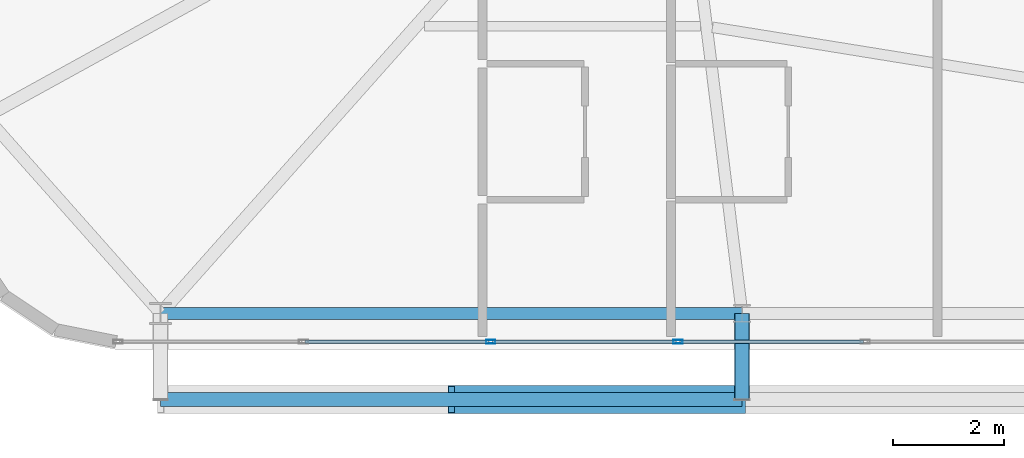
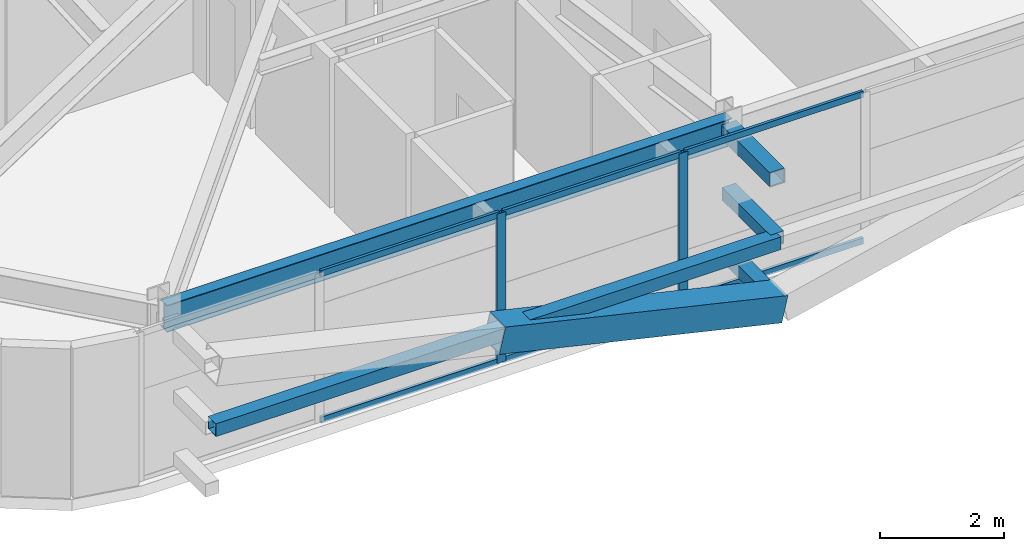
# One storey, part 6 of 59: 13 members, 1 beam, 1 element without a shape of its own.
"""IFC4 building model written with IfcOpenShell, lengths in metres."""

from ifc_helpers import new_model, si_unit, direction, frame, origin, origin_2d, place, context, subcontext, project, spatial, hollow_rectangle, i_section, extrude, source, transform, mapped, material, layer, layer_set, material_profile, profile_set, type_object, element, aggregate, save


model = new_model("IFC4")

# Units and contexts
model_context = context("Model", 3, precision=1e-05, world=origin(), true_north=direction((0.0, 1.0)))
body_context = subcontext(model_context, "Body", "Model", "MODEL_VIEW")
ifc_project = project(units=[si_unit("LENGTHUNIT", "METRE"), si_unit("AREAUNIT", "SQUARE_METRE"), si_unit("VOLUMEUNIT", "CUBIC_METRE"), si_unit("PLANEANGLEUNIT", "RADIAN"), si_unit("MASSUNIT", "GRAM", prefix="KILO")], contexts=[model_context])

# Site, building, storey
site_placement = place(None, origin())
site = spatial("IfcSite", under=ifc_project, at=site_placement, CompositionType="ELEMENT")
building_placement = place(site_placement, origin())
building = spatial("IfcBuilding", under=site, at=building_placement, Name="Taldren Reach Tower", CompositionType="ELEMENT")
storey_placement = place(building_placement, frame((0.0, 0.0, 19.949951171875)))
storey = spatial("IfcBuildingStorey", under=building, at=storey_placement, Name="L05", CompositionType="ELEMENT", Elevation=19.949951171875)

# Beam
ifc_material_1 = material(Name="Steel Gr 350 (350PLUS)", Category="steel")
ifc_material_profile_1 = material_profile(ifc_material_1, i_section(OverallWidth=0.208984375, OverallDepth=0.528076171875, WebThickness=0.009521484375, FlangeThickness=0.01318359375, at=origin_2d()), Name="530UB82.0")
ifc_profile_set_1 = profile_set([ifc_material_profile_1], Name="Steel Gr 350 (350PLUS)")
beam_type = type_object("IfcBeamType", Name="SP-UB530B", PredefinedType="SPANDREL", material=ifc_profile_set_1)
shared_shape_1 = source(origin(), body_context, "Body", "SweptSolid", [
    extrude(i_section(OverallWidth=0.208984375, OverallDepth=0.528076171875, WebThickness=0.009521484375, FlangeThickness=0.01318359375, at=origin_2d()), origin(), (0.0, 0.0, 1.0), 10.47998046875),
])
beam_placement = place(storey_placement, frame((8.800048828125, 2.14990234375, 2.666015625), z_axis=(1.0, 0.0, 0.0), x_axis=(0.0, 1.0, 0.0)))
element("IfcBeam", 1, at=beam_placement, inside=storey, type_object=beam_type, Name="Perimeter spandrel B1 S1-S2 L05", PredefinedType="SPANDREL", context=body_context, shape_type="MappedRepresentation", body=[
    mapped(shared_shape_1, transform((0.0, 0.0, 0.0), scale=1.0)),
])

# Members
ifc_material_2 = material(Name="Steel Gr 450 (C450L0)", Category="steel")
ifc_material_profile_2 = material_profile(ifc_material_2, hollow_rectangle(XDim=0.27490234375, YDim=0.27490234375, WallThickness=0.00927734375, at=origin_2d()), Name="275x275x9.3SHS")
ifc_profile_set_2 = profile_set([ifc_material_profile_2], Name="Steel Gr 450 (C450L0)")
member_type_1 = type_object("IfcMemberType", Name="MB-TIE273", PredefinedType="STRUT", material=ifc_profile_set_2)
shared_shape_2 = source(origin(), body_context, "Body", "SweptSolid", [
    extrude(hollow_rectangle(XDim=0.27490234375, YDim=0.27490234375, WallThickness=0.00927734375, at=origin_2d()), origin(), (0.0, 0.0, 1.0), 1.5498046875),
])
member_1_placement = place(storey_placement, frame((19.280029296875, 2.14990234375, 2.650146484375), z_axis=(0.0, -1.0, 0.0), x_axis=(1.0, 0.0, 0.0)))
element("IfcMember", 2, at=member_1_placement, inside=storey, type_object=member_type_1, Name="Exoskeleton diaphragm tie strut B1-S2 L05", PredefinedType="STRUT", context=body_context, shape_type="MappedRepresentation", body=[
    mapped(shared_shape_2, transform((0.0, 0.0, 0.0), scale=1.0)),
])
ifc_material_profile_3 = material_profile(ifc_material_2, hollow_rectangle(XDim=0.510009765625, YDim=0.510009765625, WallThickness=0.02001953125, at=origin_2d()), Name="510x510x20.0SHS")
ifc_profile_set_3 = profile_set([ifc_material_profile_3], Name="Steel Gr 450 (C450L0)")
member_type_2 = type_object("IfcMemberType", Name="MB-EXO508", PredefinedType="BRACE", material=ifc_profile_set_3)
shared_shape_3 = source(origin(), body_context, "Body", "SweptSolid", [
    extrude(hollow_rectangle(XDim=0.510009765625, YDim=0.510009765625, WallThickness=0.02001953125, at=origin_2d()), origin(), (0.0, 0.0, 1.0), 5.37890625),
])
member_2_placement = place(storey_placement, frame((19.280029296875, 0.60009765625, 0.219970703125), z_axis=(-0.97415197996, 0.0, 0.225893603143), x_axis=(0.0, -1.0, 0.0)))
element("IfcMember", 3, at=member_2_placement, inside=storey, type_object=member_type_2, Name="Exoskeleton Diagrid Brace B1-S1 L05", PredefinedType="BRACE", context=body_context, shape_type="MappedRepresentation", body=[
    mapped(shared_shape_3, transform((0.0, 0.0, 0.0), scale=1.0)),
])
ifc_material_3 = material(Name="Steel Gr 350 (C350L0)", Category="steel")
ifc_material_profile_4 = material_profile(ifc_material_3, hollow_rectangle(XDim=0.25, YDim=0.25, WallThickness=0.010009765625, at=origin_2d()), Name="250x250x10.0SHS")
ifc_profile_set_4 = profile_set([ifc_material_profile_4], Name="Steel Gr 350 (C350L0)")
member_type_3 = type_object("IfcMemberType", Name="MB-POST250", PredefinedType="POST", material=ifc_profile_set_4)
shared_shape_4 = source(origin(), body_context, "Body", "SweptSolid", [
    extrude(hollow_rectangle(XDim=0.25, YDim=0.25, WallThickness=0.010009765625, at=origin_2d()), origin(), (0.0, 0.0, 1.0), 10.47998046875),
])
member_3_placement = place(storey_placement, frame((8.800048828125, 0.60009765625, 1.43505859375), z_axis=(1.0, 0.0, 0.0), x_axis=(0.0, 1.0, 0.0)))
element("IfcMember", 4, at=member_3_placement, inside=storey, type_object=member_type_3, Name="Exoskeleton mid-height ring chord B1-S1 L05", PredefinedType="POST", context=body_context, shape_type="MappedRepresentation", body=[
    mapped(shared_shape_4, transform((0.0, 0.0, 0.0), scale=1.0)),
])
shared_shape_5 = source(origin(), body_context, "Body", "SweptSolid", [
    extrude(hollow_rectangle(XDim=0.25, YDim=0.25, WallThickness=0.010009765625, at=origin_2d()), origin(), (0.0, 0.0, 1.0), 1.5498046875),
])
for number, where, z_axis, x_axis, name in (
    (5, (19.280029296875, 2.14990234375, 0.219970703125), (0.0, -1.0, 0.0), (1.0, 0.0, 0.0), "Exoskeleton base diaphragm tie strut B1-S2 L05"),
    (6, (19.280029296875, 2.14990234375, 1.43505859375), (0.0, -1.0, 0.0), (1.0, 0.0, 0.0), "Exoskeleton mid-tier diaphragm tie B1-S2 L05"),
):
    element("IfcMember", number, at=place(storey_placement, frame(where, z_axis=z_axis, x_axis=x_axis)), inside=storey, type_object=member_type_3, Name=name, PredefinedType="POST", context=body_context, shape_type="MappedRepresentation", body=[
        mapped(shared_shape_5, transform((0.0, 0.0, 0.0), scale=1.0)),
    ])

# Curtain wall, members
ifc_material_4 = material(Name="Aluminium and Low-E Glass Unitised System", Category="aluminium")
ifc_layer = layer(ifc_material_4, 0.159912109375)
ifc_layer_set = layer_set([ifc_layer], Name="Aluminium and Low-E Glass Unitised System")
curtain_wall_type = type_object("IfcCurtainWallType", Name="CW-SYS-2", PredefinedType="NOTDEFINED", material=ifc_layer_set)
curtain_wall_placement = place(storey_placement, origin())
curtain_wall = element("IfcCurtainWall", 7, at=curtain_wall_placement, inside=storey, type_object=curtain_wall_type, Name="Unitised curtain wall CW-L05-S", PredefinedType="NOTDEFINED")
ifc_material_5 = material(Name="Anodised Aluminium 6063-T6", Category="aluminium")
ifc_material_profile_5 = material_profile(ifc_material_5, hollow_rectangle(XDim=0.06494140625, YDim=0.1650390625, WallThickness=0.00390625, at=origin_2d()), Name="ALU-165x65x4RHS")
ifc_profile_set_5 = profile_set([ifc_material_profile_5], Name="Anodised Aluminium 6063-T6")
member_type_4 = type_object("IfcMemberType", Name="CW-MUL-165", PredefinedType="MULLION", material=ifc_profile_set_5)
shared_shape_6 = source(origin(), body_context, "Body", "SweptSolid", [
    extrude(hollow_rectangle(XDim=0.06494140625, YDim=0.1650390625, WallThickness=0.00390625, at=origin_2d()), origin(), (0.0, 0.0, 1.0), 2.929931640625),
])
member_4_placement = place(storey_placement, frame((14.75, 1.639892578125, 0.0), z_axis=(0.0, 0.0, 1.0), x_axis=(0.0, 1.0, 0.0)))
member_4 = element("IfcMember", 8, at=member_4_placement, type_object=member_type_4, Name="CW-2 mullion 3", PredefinedType="MULLION", context=body_context, shape_type="MappedRepresentation", body=[
    mapped(shared_shape_6, transform((0.0, 0.0, 0.0), scale=1.0)),
])
member_5_placement = place(storey_placement, frame((18.125, 1.639892578125, 0.0), z_axis=(0.0, 0.0, 1.0), x_axis=(0.0, 1.0, 0.0)))
member_5 = element("IfcMember", 9, at=member_5_placement, type_object=member_type_4, Name="CW-2 mullion 4", PredefinedType="MULLION", context=body_context, shape_type="MappedRepresentation", body=[
    mapped(shared_shape_6, transform((0.0, 0.0, 0.0), scale=1.0)),
])
ifc_material_profile_6 = material_profile(ifc_material_5, hollow_rectangle(XDim=0.054931640625, YDim=0.1201171875, WallThickness=0.0029296875, at=origin_2d()), Name="ALU-120x55x3RHS")
ifc_profile_set_6 = profile_set([ifc_material_profile_6], Name="Anodised Aluminium 6063-T6")
member_type_5 = type_object("IfcMemberType", Name="CW-TRN-135", PredefinedType="USERDEFINED", material=ifc_profile_set_6)
shared_shape_7 = source(origin(), body_context, "Body", "SweptSolid", [
    extrude(hollow_rectangle(XDim=0.054931640625, YDim=0.1201171875, WallThickness=0.0029296875, at=origin_2d()), origin(), (0.0, 0.0, 1.0), 3.31005859375),
])
member_6_placement = place(storey_placement, frame((11.407470703125, 1.639892578125, 0.027587890625), z_axis=(1.0, 0.0, 0.0), x_axis=(0.0, 1.0, 0.0)))
member_6 = element("IfcMember", 10, at=member_6_placement, type_object=member_type_5, Name="CW-2 transom 2.1", ObjectType="TRANSOM", PredefinedType="USERDEFINED", context=body_context, shape_type="MappedRepresentation", body=[
    mapped(shared_shape_7, transform((0.0, 0.0, 0.0), scale=1.0)),
])
member_7_placement = place(storey_placement, frame((11.407470703125, 1.639892578125, 2.902587890625), z_axis=(1.0, 0.0, 0.0), x_axis=(0.0, 1.0, 0.0)))
member_7 = element("IfcMember", 11, at=member_7_placement, type_object=member_type_5, Name="CW-2 transom 2.2", ObjectType="TRANSOM", PredefinedType="USERDEFINED", context=body_context, shape_type="MappedRepresentation", body=[
    mapped(shared_shape_7, transform((0.0, 0.0, 0.0), scale=1.0)),
])
member_8_placement = place(storey_placement, frame((14.782470703125, 1.639892578125, 0.027587890625), z_axis=(1.0, 0.0, 0.0), x_axis=(0.0, 1.0, 0.0)))
member_8 = element("IfcMember", 12, at=member_8_placement, type_object=member_type_5, Name="CW-2 transom 3.1", ObjectType="TRANSOM", PredefinedType="USERDEFINED", context=body_context, shape_type="MappedRepresentation", body=[
    mapped(shared_shape_7, transform((0.0, 0.0, 0.0), scale=1.0)),
])
member_9_placement = place(storey_placement, frame((14.782470703125, 1.639892578125, 2.902587890625), z_axis=(1.0, 0.0, 0.0), x_axis=(0.0, 1.0, 0.0)))
member_9 = element("IfcMember", 13, at=member_9_placement, type_object=member_type_5, Name="CW-2 transom 3.2", ObjectType="TRANSOM", PredefinedType="USERDEFINED", context=body_context, shape_type="MappedRepresentation", body=[
    mapped(shared_shape_7, transform((0.0, 0.0, 0.0), scale=1.0)),
])
member_10_placement = place(storey_placement, frame((18.157470703125, 1.639892578125, 0.027587890625), z_axis=(1.0, 0.0, 0.0), x_axis=(0.0, 1.0, 0.0)))
member_10 = element("IfcMember", 14, at=member_10_placement, type_object=member_type_5, Name="CW-2 transom 4.1", ObjectType="TRANSOM", PredefinedType="USERDEFINED", context=body_context, shape_type="MappedRepresentation", body=[
    mapped(shared_shape_7, transform((0.0, 0.0, 0.0), scale=1.0)),
])
member_11_placement = place(storey_placement, frame((18.157470703125, 1.639892578125, 2.902587890625), z_axis=(1.0, 0.0, 0.0), x_axis=(0.0, 1.0, 0.0)))
member_11 = element("IfcMember", 15, at=member_11_placement, type_object=member_type_5, Name="CW-2 transom 4.2", ObjectType="TRANSOM", PredefinedType="USERDEFINED", context=body_context, shape_type="MappedRepresentation", body=[
    mapped(shared_shape_7, transform((0.0, 0.0, 0.0), scale=1.0)),
])
aggregate(curtain_wall, [member_4, member_5, member_6, member_7, member_8, member_9, member_10, member_11])

save(model, "model.ifc")
